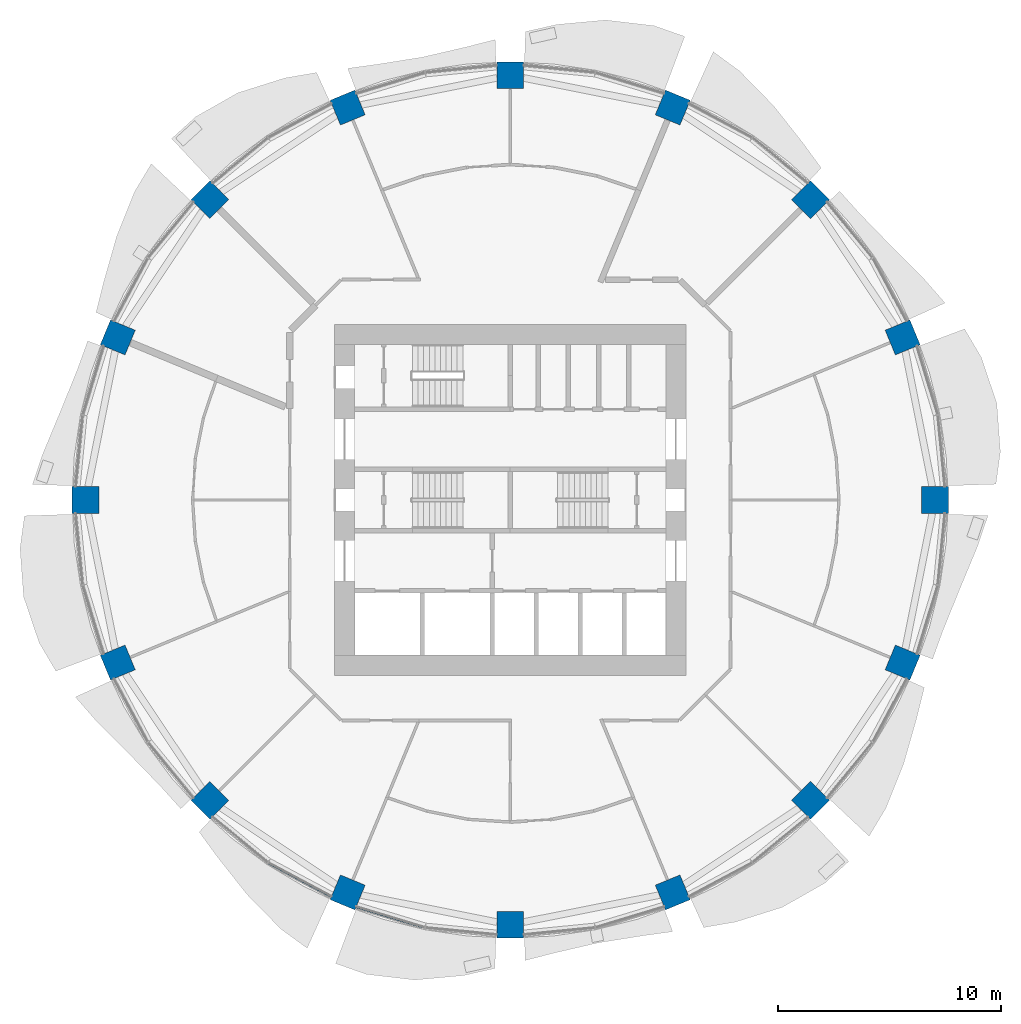
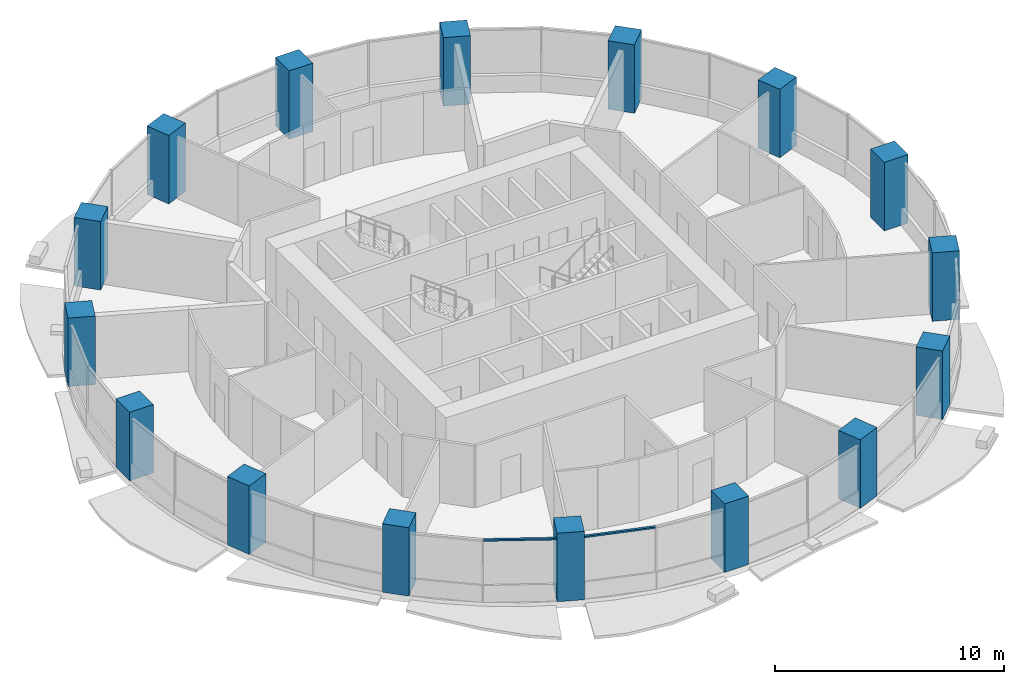
# One storey, part 1 of 15: 16 columns, 2 members, 2 elements without a shape of their own.
"""IFC4 building model written with IfcOpenShell, lengths in metres."""

from ifc_helpers import new_model, si_unit, direction, frame, origin, origin_2d, place, context, subcontext, project, spatial, rectangle, extrude, material, material_profile, profile_set, type_object, element, aggregate, save


model = new_model("IFC4")

# Units and contexts
model_context = context("Model", 3, precision=1e-05, world=origin(), true_north=direction((0.0, 1.0)))
body_context = subcontext(model_context, "Body", "Model", "MODEL_VIEW")
ifc_project = project(units=[si_unit("LENGTHUNIT", "METRE"), si_unit("AREAUNIT", "SQUARE_METRE"), si_unit("VOLUMEUNIT", "CUBIC_METRE"), si_unit("PLANEANGLEUNIT", "RADIAN"), si_unit("MASSUNIT", "GRAM", prefix="KILO")], contexts=[model_context])

# Site, building, storey
site_placement = place(None, origin())
site = spatial("IfcSite", under=ifc_project, at=site_placement, CompositionType="ELEMENT")
building_placement = place(site_placement, origin())
building = spatial("IfcBuilding", under=site, at=building_placement, Name="Polderwave Tower", CompositionType="ELEMENT")
storey_placement = place(building_placement, frame((0.0, 0.0, 51.75)))
storey = spatial("IfcBuildingStorey", under=building, at=storey_placement, Name="L13", CompositionType="ELEMENT", Elevation=51.75)

# Columns
ifc_material_1 = material(Name="Concrete C70/85", Category="concrete")
ifc_material_profile_1 = material_profile(ifc_material_1, rectangle(XDim=1.199951171875, YDim=1.199951171875, at=origin_2d()), Name="RC 1200x1200")
ifc_profile_set_1 = profile_set([ifc_material_profile_1], Name="Concrete C70/85")
column_type = type_object("IfcColumnType", Name="RC COLUMN 1200x1200 C70/85", PredefinedType="COLUMN", material=ifc_profile_set_1)
for number, where, z_axis, x_axis, name in (
    (1, (19.030029296875, 0.0, 0.0), (0.0, 0.0, 1.0), (1.0, 0.0, 0.0), "Ring column 01"),
    (2, (17.58154296875, 7.282470703125, 0.0), (0.0, 0.0, 1.0), (0.923879532511, 0.382683432365, 0.0), "Ring column 02"),
    (3, (13.456298828125, 13.456298828125, 0.0), (0.0, 0.0, 1.0), (0.707106781187, 0.707106781187, 0.0), "Ring column 03"),
    (4, (7.282470703125, 17.58154296875, 0.0), (0.0, 0.0, 1.0), (0.382683432365, 0.923879532511, 0.0), "Ring column 04"),
    (5, (0.0, 19.030029296875, 0.0), (0.0, 0.0, 1.0), (0.0, 1.0, 0.0), "Ring column 05"),
    (6, (-7.282470703125, 17.58154296875, 0.0), (0.0, 0.0, 1.0), (-0.382683432365, 0.923879532511, 0.0), "Ring column 06"),
    (7, (-13.456298828125, 13.456298828125, 0.0), (0.0, 0.0, 1.0), (-0.707106781187, 0.707106781187, 0.0), "Ring column 07"),
    (8, (-17.58154296875, 7.282470703125, 0.0), (0.0, 0.0, 1.0), (-0.923879532511, 0.382683432365, 0.0), "Ring column 08"),
    (9, (-19.030029296875, 0.0, 0.0), (0.0, 0.0, 1.0), (-1.0, 0.0, 0.0), "Ring column 09"),
    (10, (-17.58154296875, -7.282470703125, 0.0), (0.0, 0.0, 1.0), (-0.923879532511, -0.382683432365, 0.0), "Ring column 10"),
    (11, (-13.456298828125, -13.456298828125, 0.0), (0.0, 0.0, 1.0), (-0.707106781187, -0.707106781187, 0.0), "Ring column 11"),
    (12, (-7.282470703125, -17.58154296875, 0.0), (0.0, 0.0, 1.0), (-0.382683432365, -0.923879532511, 0.0), "Ring column 12"),
    (13, (0.0, -19.030029296875, 0.0), (0.0, 0.0, 1.0), (0.0, -1.0, 0.0), "Ring column 13"),
    (14, (7.282470703125, -17.58154296875, 0.0), (0.0, 0.0, 1.0), (0.382683432365, -0.923879532511, 0.0), "Ring column 14"),
    (15, (13.456298828125, -13.456298828125, 0.0), (0.0, 0.0, 1.0), (0.707106781187, -0.707106781187, 0.0), "Ring column 15"),
    (16, (17.58154296875, -7.282470703125, 0.0), (0.0, 0.0, 1.0), (0.923879532511, -0.382683432365, 0.0), "Ring column 16"),
):
    element("IfcColumn", number, at=place(storey_placement, frame(where, z_axis=z_axis, x_axis=x_axis)), inside=storey, type_object=column_type, Name=name, PredefinedType="COLUMN", context=body_context, shape_type="SweptSolid", body=[
        extrude(rectangle(XDim=1.199951171875, YDim=1.199951171875, at=origin_2d()), origin(), (0.0, 0.0, 1.0), 3.64990234375),
    ])

# Curtain wall, member
ifc_material_2 = material(Name="Aluminium 6063-T6 and glass", Category="aluminium")
curtain_wall_type = type_object("IfcCurtainWallType", Name="Growing floor ribbon glazing wall", PredefinedType="NOTDEFINED", material=ifc_material_2)
curtain_wall_1_placement = place(storey_placement, origin())
curtain_wall_1 = element("IfcCurtainWall", 17, at=curtain_wall_1_placement, inside=storey, type_object=curtain_wall_type, Name="CW2 L13 10", PredefinedType="NOTDEFINED")
ifc_material_3 = material(Name="Aluminium 6063-T6", Category="aluminium")
ifc_material_profile_2 = material_profile(ifc_material_3, rectangle(XDim=0.1201171875, YDim=0.080078125, at=origin_2d()), Name="AL 80x120")
ifc_profile_set_2 = profile_set([ifc_material_profile_2], Name="Aluminium 6063-T6")
member_type = type_object("IfcMemberType", Name="Growing floor ribbon glazing transom 80x120", PredefinedType="USERDEFINED", material=ifc_profile_set_2)
member_1_placement = place(storey_placement, frame((-10.823486328125, -16.253173828125, 3.260009765625), z_axis=(0.881929477556, -0.471381370673, 0.0), x_axis=(0.471381370673, 0.881929477556, 0.0)))
member_1 = element("IfcMember", 18, at=member_1_placement, type_object=member_type, Name="CW2 transom 2", ObjectType="TRANSOM", PredefinedType="USERDEFINED", context=body_context, shape_type="SweptSolid", body=[
    extrude(rectangle(XDim=0.1201171875, YDim=0.080078125, at=origin_2d()), origin(), (0.0, 0.0, 1.0), 3.194580078125),
])
aggregate(curtain_wall_1, [member_1])

curtain_wall_2_placement = place(storey_placement, origin())
curtain_wall_2 = element("IfcCurtainWall", 19, at=curtain_wall_2_placement, inside=storey, type_object=curtain_wall_type, Name="CW2 L13 11", PredefinedType="NOTDEFINED")
member_2_placement = place(storey_placement, frame((-6.89697265625, -18.218017578125, 3.260009765625), z_axis=(0.95689839473, -0.290422902272, 0.0), x_axis=(0.290422902272, 0.95689839473, 0.0)))
member_2 = element("IfcMember", 20, at=member_2_placement, type_object=member_type, Name="CW2 transom 1", ObjectType="TRANSOM", PredefinedType="USERDEFINED", context=body_context, shape_type="SweptSolid", body=[
    extrude(rectangle(XDim=0.1201171875, YDim=0.080078125, at=origin_2d()), origin(), (0.0, 0.0, 1.0), 3.196044921875),
])
aggregate(curtain_wall_2, [member_2])

save(model, "model.ifc")
